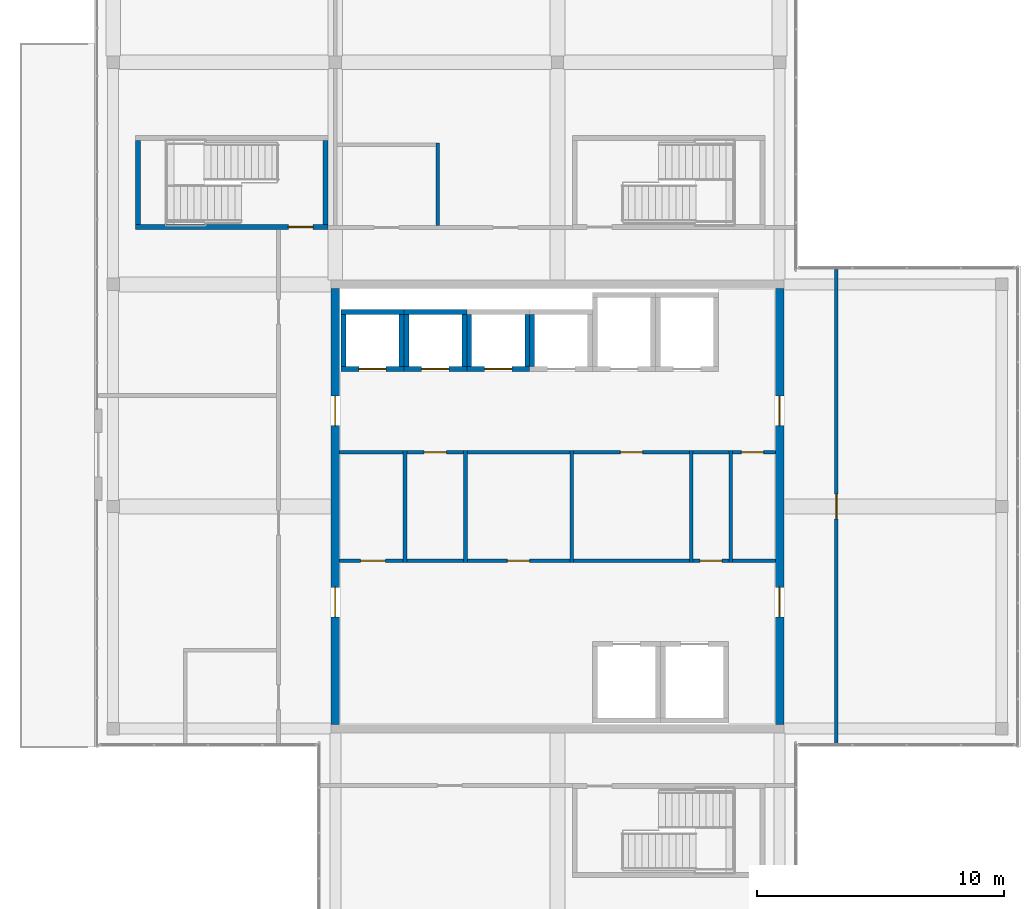
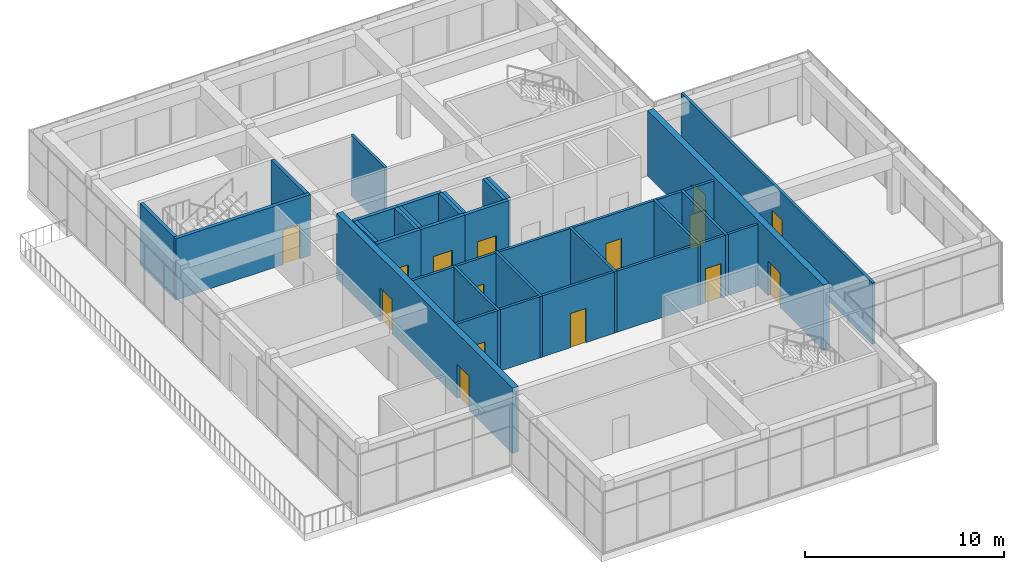
# One storey, part 31 of 34: 36 walls, 15 doors, 15 openings.
"""IFC4 building model written with IfcOpenShell, lengths in metres."""

from ifc_helpers import new_model, si_unit, direction, frame, frame_2d, origin, place, context, subcontext, project, spatial, rectangle, extrude, material, layer, layer_set, type_object, element, fill, save


model = new_model("IFC4")

# Units and contexts
model_context = context("Model", 3, precision=1e-05, world=origin(), true_north=direction((0.0, 1.0)))
body_context = subcontext(model_context, "Body", "Model", "MODEL_VIEW")
ifc_project = project(units=[si_unit("LENGTHUNIT", "METRE"), si_unit("AREAUNIT", "SQUARE_METRE"), si_unit("VOLUMEUNIT", "CUBIC_METRE"), si_unit("PLANEANGLEUNIT", "RADIAN"), si_unit("MASSUNIT", "GRAM", prefix="KILO")], contexts=[model_context])

# Site, building, storey
site_placement = place(None, origin())
site = spatial("IfcSite", under=ifc_project, at=site_placement, CompositionType="ELEMENT")
building_placement = place(site_placement, origin())
building = spatial("IfcBuilding", under=site, at=building_placement, Name="Tuart Plaza Theatre", CompositionType="ELEMENT")
storey_placement = place(building_placement, frame((0.0, 0.0, 53.5)))
storey = spatial("IfcBuildingStorey", under=building, at=storey_placement, Name="L13", CompositionType="ELEMENT", Elevation=53.5)

# Wall
ifc_material_1 = material(Name="Masonry block", Category="masonry")
ifc_layer_1 = layer(ifc_material_1, 0.14990234375)
ifc_layer_set_1 = layer_set([ifc_layer_1], Name="PARTITION BLK150 MASONRYB FRL -/120/120")
wall_type_1 = type_object("IfcWallType", Name="PARTITION BLK150 MASONRYB FRL -/120/120", PredefinedType="PARTITIONING", material=ifc_layer_set_1)
wall_1_placement = place(storey_placement, frame((125.824951171875, 71.72509765625, 0.0), z_axis=(0.0, 0.0, 1.0), x_axis=(0.0, 1.0, 0.0)))
element("IfcWall", 1, at=wall_1_placement, inside=storey, type_object=wall_type_1, Name="P692", PredefinedType="PARTITIONING", context=body_context, shape_type="SweptSolid", body=[
    extrude(rectangle(XDim=4.5498046875, YDim=0.14990234375, at=frame_2d((2.27490234375, 0.0))), origin(), (0.0, 0.0, 1.0), 3.75),
])

# Wall, opening, door
wall_2_placement = place(storey_placement, frame((123.175048828125, 71.800048828125, 0.0), z_axis=(0.0, 0.0, 1.0), x_axis=(1.0, 0.0, 0.0)))
wall_2 = element("IfcWall", 2, at=wall_2_placement, inside=storey, type_object=wall_type_1, Name="P693", PredefinedType="PARTITIONING", context=body_context, shape_type="SweptSolid", body=[
    extrude(rectangle(XDim=2.574951171875, YDim=0.14990234375, at=frame_2d((1.28759765625, 0.0))), origin(), (0.0, 0.0, 1.0), 3.75),
])
opening_1_placement = place(wall_2_placement, frame((0.85009765625, 0.0, 0.0)))
opening_1 = element("IfcOpeningElement", 3, at=opening_1_placement, cuts=wall_2, Name="Opening L13-017", PredefinedType="OPENING", context=body_context, shape_type="SweptSolid", body=[
    extrude(rectangle(XDim=1.0, YDim=2.10009765625, at=frame_2d((0.5, 1.050048828125))), frame((0.0, 0.0849609375, 0.0), z_axis=(0.0, -1.0, 0.0), x_axis=(1.0, 0.0, 0.0)), (0.0, 0.0, 1.0), 0.169921875),
])
ifc_material_2 = material(Name="Steel Grade 300", Category="steel")
door_type_1 = type_object("IfcDoorType", Name="DOOR 1000x2100 steel single swing FRL -/120/30", OperationType="SINGLE_SWING_LEFT", PredefinedType="DOOR", material=ifc_material_2)
door_1_placement = place(opening_1_placement, origin())
door_1 = element("IfcDoor", 4, at=door_1_placement, inside=storey, type_object=door_type_1, Name="L13-017", OperationType="SINGLE_SWING_LEFT", OverallHeight=2.10009765625, OverallWidth=1.0, PredefinedType="DOOR", context=body_context, shape_type="SweptSolid", body=[
    extrude(rectangle(XDim=1.0, YDim=2.10009765625, at=frame_2d((0.5, 1.050048828125))), frame((0.0, 0.02490234375, 0.0), z_axis=(0.0, -1.0, 0.0), x_axis=(1.0, 0.0, 0.0)), (0.0, 0.0, 1.0), 0.050048828125),
])
fill(opening_1, door_1)

# Walls
wall_3_placement = place(storey_placement, frame((123.175048828125, 76.199951171875, 0.0), z_axis=(0.0, 0.0, 1.0), x_axis=(1.0, 0.0, 0.0)))
element("IfcWall", 5, at=wall_3_placement, inside=storey, type_object=wall_type_1, Name="P694", PredefinedType="PARTITIONING", context=body_context, shape_type="SweptSolid", body=[
    extrude(rectangle(XDim=2.574951171875, YDim=0.14990234375, at=frame_2d((1.28759765625, 0.0))), origin(), (0.0, 0.0, 1.0), 3.75),
])
wall_4_placement = place(storey_placement, frame((128.27490234375, 71.72509765625, 0.0), z_axis=(0.0, 0.0, 1.0), x_axis=(0.0, 1.0, 0.0)))
element("IfcWall", 6, at=wall_4_placement, inside=storey, type_object=wall_type_1, Name="P695", PredefinedType="PARTITIONING", context=body_context, shape_type="SweptSolid", body=[
    extrude(rectangle(XDim=4.5498046875, YDim=0.14990234375, at=frame_2d((2.27490234375, 0.0))), origin(), (0.0, 0.0, 1.0), 3.75),
])
wall_5_placement = place(storey_placement, frame((125.89990234375, 71.800048828125, 0.0), z_axis=(0.0, 0.0, 1.0), x_axis=(1.0, 0.0, 0.0)))
element("IfcWall", 7, at=wall_5_placement, inside=storey, type_object=wall_type_1, Name="P696", PredefinedType="PARTITIONING", context=body_context, shape_type="SweptSolid", body=[
    extrude(rectangle(XDim=2.300048828125, YDim=0.14990234375, at=frame_2d((1.14990234375, 0.0))), origin(), (0.0, 0.0, 1.0), 3.75),
])

# Wall, opening, door
wall_6_placement = place(storey_placement, frame((125.89990234375, 76.199951171875, 0.0), z_axis=(0.0, 0.0, 1.0), x_axis=(1.0, 0.0, 0.0)))
wall_6 = element("IfcWall", 8, at=wall_6_placement, inside=storey, type_object=wall_type_1, Name="P697", PredefinedType="PARTITIONING", context=body_context, shape_type="SweptSolid", body=[
    extrude(rectangle(XDim=2.300048828125, YDim=0.14990234375, at=frame_2d((1.14990234375, 0.0))), origin(), (0.0, 0.0, 1.0), 3.75),
])
opening_2_placement = place(wall_6_placement, frame((0.699951171875, 0.0, 0.0)))
opening_2 = element("IfcOpeningElement", 9, at=opening_2_placement, cuts=wall_6, Name="Opening L13-018", PredefinedType="OPENING", context=body_context, shape_type="SweptSolid", body=[
    extrude(rectangle(XDim=0.89990234375, YDim=2.10009765625, at=frame_2d((0.449951171875, 1.050048828125))), frame((0.0, 0.0849609375, 0.0), z_axis=(0.0, -1.0, 0.0), x_axis=(1.0, 0.0, 0.0)), (0.0, 0.0, 1.0), 0.169921875),
])
ifc_material_3 = material(Name="Steel Grade 300", Category="steel")
door_type_2 = type_object("IfcDoorType", Name="DOOR 900x2100 steel single swing FRL -/120/30", OperationType="SINGLE_SWING_LEFT", PredefinedType="DOOR", material=ifc_material_3)
door_2_placement = place(opening_2_placement, frame((0.89990234375, 0.0, 0.0), z_axis=(0.0, 0.0, 1.0), x_axis=(-1.0, 0.0, 0.0)))
door_2 = element("IfcDoor", 10, at=door_2_placement, inside=storey, type_object=door_type_2, Name="L13-018", OperationType="SINGLE_SWING_LEFT", OverallHeight=2.10009765625, OverallWidth=0.89990234375, PredefinedType="DOOR", context=body_context, shape_type="SweptSolid", body=[
    extrude(rectangle(XDim=0.89990234375, YDim=2.10009765625, at=frame_2d((0.449951171875, 1.050048828125))), frame((0.0, 0.02490234375, 0.0), z_axis=(0.0, -1.0, 0.0), x_axis=(1.0, 0.0, 0.0)), (0.0, 0.0, 1.0), 0.050048828125),
])
fill(opening_2, door_2)

# Wall
wall_7_placement = place(storey_placement, frame((132.574951171875, 71.72509765625, 0.0), z_axis=(0.0, 0.0, 1.0), x_axis=(0.0, 1.0, 0.0)))
element("IfcWall", 11, at=wall_7_placement, inside=storey, type_object=wall_type_1, Name="P698", PredefinedType="PARTITIONING", context=body_context, shape_type="SweptSolid", body=[
    extrude(rectangle(XDim=4.5498046875, YDim=0.14990234375, at=frame_2d((2.27490234375, 0.0))), origin(), (0.0, 0.0, 1.0), 3.75),
])

# Wall, opening, door
wall_8_placement = place(storey_placement, frame((128.35009765625, 71.800048828125, 0.0), z_axis=(0.0, 0.0, 1.0), x_axis=(1.0, 0.0, 0.0)))
wall_8 = element("IfcWall", 12, at=wall_8_placement, inside=storey, type_object=wall_type_1, Name="P699", PredefinedType="PARTITIONING", context=body_context, shape_type="SweptSolid", body=[
    extrude(rectangle(XDim=4.14990234375, YDim=0.14990234375, at=frame_2d((2.074951171875, 0.0))), origin(), (0.0, 0.0, 1.0), 3.75),
])
opening_3_placement = place(wall_8_placement, frame((1.625, 0.0, 0.0)))
opening_3 = element("IfcOpeningElement", 13, at=opening_3_placement, cuts=wall_8, Name="Opening L13-019", PredefinedType="OPENING", context=body_context, shape_type="SweptSolid", body=[
    extrude(rectangle(XDim=0.89990234375, YDim=2.10009765625, at=frame_2d((0.449951171875, 1.050048828125))), frame((0.0, 0.0849609375, 0.0), z_axis=(0.0, -1.0, 0.0), x_axis=(1.0, 0.0, 0.0)), (0.0, 0.0, 1.0), 0.169921875),
])
door_3_placement = place(opening_3_placement, origin())
door_3 = element("IfcDoor", 14, at=door_3_placement, inside=storey, type_object=door_type_2, Name="L13-019", OperationType="SINGLE_SWING_RIGHT", OverallHeight=2.10009765625, OverallWidth=0.89990234375, PredefinedType="DOOR", context=body_context, shape_type="SweptSolid", body=[
    extrude(rectangle(XDim=0.89990234375, YDim=2.10009765625, at=frame_2d((0.449951171875, 1.050048828125))), frame((0.0, 0.02490234375, 0.0), z_axis=(0.0, -1.0, 0.0), x_axis=(1.0, 0.0, 0.0)), (0.0, 0.0, 1.0), 0.050048828125),
])
fill(opening_3, door_3)

# Walls
wall_9_placement = place(storey_placement, frame((128.35009765625, 76.199951171875, 0.0), z_axis=(0.0, 0.0, 1.0), x_axis=(1.0, 0.0, 0.0)))
element("IfcWall", 15, at=wall_9_placement, inside=storey, type_object=wall_type_1, Name="P700", PredefinedType="PARTITIONING", context=body_context, shape_type="SweptSolid", body=[
    extrude(rectangle(XDim=4.14990234375, YDim=0.14990234375, at=frame_2d((2.074951171875, 0.0))), origin(), (0.0, 0.0, 1.0), 3.75),
])
wall_10_placement = place(storey_placement, frame((137.425048828125, 71.72509765625, 0.0), z_axis=(0.0, 0.0, 1.0), x_axis=(0.0, 1.0, 0.0)))
element("IfcWall", 16, at=wall_10_placement, inside=storey, type_object=wall_type_1, Name="P701", PredefinedType="PARTITIONING", context=body_context, shape_type="SweptSolid", body=[
    extrude(rectangle(XDim=4.5498046875, YDim=0.14990234375, at=frame_2d((2.27490234375, 0.0))), origin(), (0.0, 0.0, 1.0), 3.75),
])
wall_11_placement = place(storey_placement, frame((132.64990234375, 71.800048828125, 0.0), z_axis=(0.0, 0.0, 1.0), x_axis=(1.0, 0.0, 0.0)))
element("IfcWall", 17, at=wall_11_placement, inside=storey, type_object=wall_type_1, Name="P702", PredefinedType="PARTITIONING", context=body_context, shape_type="SweptSolid", body=[
    extrude(rectangle(XDim=4.7001953125, YDim=0.14990234375, at=frame_2d((2.35009765625, 0.0))), origin(), (0.0, 0.0, 1.0), 3.75),
])

# Wall, opening, door
wall_12_placement = place(storey_placement, frame((132.64990234375, 76.199951171875, 0.0), z_axis=(0.0, 0.0, 1.0), x_axis=(1.0, 0.0, 0.0)))
wall_12 = element("IfcWall", 18, at=wall_12_placement, inside=storey, type_object=wall_type_1, Name="P703", PredefinedType="PARTITIONING", context=body_context, shape_type="SweptSolid", body=[
    extrude(rectangle(XDim=4.7001953125, YDim=0.14990234375, at=frame_2d((2.35009765625, 0.0))), origin(), (0.0, 0.0, 1.0), 3.75),
])
opening_4_placement = place(wall_12_placement, frame((1.89990234375, 0.0, 0.0)))
opening_4 = element("IfcOpeningElement", 19, at=opening_4_placement, cuts=wall_12, Name="Opening L13-020", PredefinedType="OPENING", context=body_context, shape_type="SweptSolid", body=[
    extrude(rectangle(XDim=0.89990234375, YDim=2.10009765625, at=frame_2d((0.449951171875, 1.050048828125))), frame((0.0, 0.0849609375, 0.0), z_axis=(0.0, -1.0, 0.0), x_axis=(1.0, 0.0, 0.0)), (0.0, 0.0, 1.0), 0.169921875),
])
door_4_placement = place(opening_4_placement, frame((0.89990234375, 0.0, 0.0), z_axis=(0.0, 0.0, 1.0), x_axis=(-1.0, 0.0, 0.0)))
door_4 = element("IfcDoor", 20, at=door_4_placement, inside=storey, type_object=door_type_2, Name="L13-020", OperationType="SINGLE_SWING_RIGHT", OverallHeight=2.10009765625, OverallWidth=0.89990234375, PredefinedType="DOOR", context=body_context, shape_type="SweptSolid", body=[
    extrude(rectangle(XDim=0.89990234375, YDim=2.10009765625, at=frame_2d((0.449951171875, 1.050048828125))), frame((0.0, 0.02490234375, 0.0), z_axis=(0.0, -1.0, 0.0), x_axis=(1.0, 0.0, 0.0)), (0.0, 0.0, 1.0), 0.050048828125),
])
fill(opening_4, door_4)

# Wall
wall_13_placement = place(storey_placement, frame((139.02490234375, 71.72509765625, 0.0), z_axis=(0.0, 0.0, 1.0), x_axis=(0.0, 1.0, 0.0)))
element("IfcWall", 21, at=wall_13_placement, inside=storey, type_object=wall_type_1, Name="P704", PredefinedType="PARTITIONING", context=body_context, shape_type="SweptSolid", body=[
    extrude(rectangle(XDim=4.5498046875, YDim=0.14990234375, at=frame_2d((2.27490234375, 0.0))), origin(), (0.0, 0.0, 1.0), 3.75),
])

# Wall, opening, door
wall_14_placement = place(storey_placement, frame((137.5, 71.800048828125, 0.0), z_axis=(0.0, 0.0, 1.0), x_axis=(1.0, 0.0, 0.0)))
wall_14 = element("IfcWall", 22, at=wall_14_placement, inside=storey, type_object=wall_type_1, Name="P705", PredefinedType="PARTITIONING", context=body_context, shape_type="SweptSolid", body=[
    extrude(rectangle(XDim=1.449951171875, YDim=0.14990234375, at=frame_2d((0.72509765625, 0.0))), origin(), (0.0, 0.0, 1.0), 3.75),
])
opening_5_placement = place(wall_14_placement, frame((0.27490234375, 0.0, 0.0)))
opening_5 = element("IfcOpeningElement", 23, at=opening_5_placement, cuts=wall_14, Name="Opening L13-021", PredefinedType="OPENING", context=body_context, shape_type="SweptSolid", body=[
    extrude(rectangle(XDim=0.89990234375, YDim=2.10009765625, at=frame_2d((0.449951171875, 1.050048828125))), frame((0.0, 0.0849609375, 0.0), z_axis=(0.0, -1.0, 0.0), x_axis=(1.0, 0.0, 0.0)), (0.0, 0.0, 1.0), 0.169921875),
])
door_5_placement = place(opening_5_placement, origin())
door_5 = element("IfcDoor", 24, at=door_5_placement, inside=storey, type_object=door_type_2, Name="L13-021", OperationType="SINGLE_SWING_LEFT", OverallHeight=2.10009765625, OverallWidth=0.89990234375, PredefinedType="DOOR", context=body_context, shape_type="SweptSolid", body=[
    extrude(rectangle(XDim=0.89990234375, YDim=2.10009765625, at=frame_2d((0.449951171875, 1.050048828125))), frame((0.0, 0.02490234375, 0.0), z_axis=(0.0, -1.0, 0.0), x_axis=(1.0, 0.0, 0.0)), (0.0, 0.0, 1.0), 0.050048828125),
])
fill(opening_5, door_5)

# Walls
wall_15_placement = place(storey_placement, frame((137.5, 76.199951171875, 0.0), z_axis=(0.0, 0.0, 1.0), x_axis=(1.0, 0.0, 0.0)))
element("IfcWall", 25, at=wall_15_placement, inside=storey, type_object=wall_type_1, Name="P706", PredefinedType="PARTITIONING", context=body_context, shape_type="SweptSolid", body=[
    extrude(rectangle(XDim=1.449951171875, YDim=0.14990234375, at=frame_2d((0.72509765625, 0.0))), origin(), (0.0, 0.0, 1.0), 3.75),
])
wall_16_placement = place(storey_placement, frame((139.10009765625, 71.800048828125, 0.0), z_axis=(0.0, 0.0, 1.0), x_axis=(1.0, 0.0, 0.0)))
element("IfcWall", 26, at=wall_16_placement, inside=storey, type_object=wall_type_1, Name="P707", PredefinedType="PARTITIONING", context=body_context, shape_type="SweptSolid", body=[
    extrude(rectangle(XDim=1.724853515625, YDim=0.14990234375, at=frame_2d((0.8623046875, 0.0))), origin(), (0.0, 0.0, 1.0), 3.75),
])

# Wall, opening, door
wall_17_placement = place(storey_placement, frame((139.10009765625, 76.199951171875, 0.0), z_axis=(0.0, 0.0, 1.0), x_axis=(1.0, 0.0, 0.0)))
wall_17 = element("IfcWall", 27, at=wall_17_placement, inside=storey, type_object=wall_type_1, Name="P708", PredefinedType="PARTITIONING", context=body_context, shape_type="SweptSolid", body=[
    extrude(rectangle(XDim=1.724853515625, YDim=0.14990234375, at=frame_2d((0.8623046875, 0.0))), origin(), (0.0, 0.0, 1.0), 3.75),
])
opening_6_placement = place(wall_17_placement, frame((0.35009765625, 0.0, 0.0)))
opening_6 = element("IfcOpeningElement", 28, at=opening_6_placement, cuts=wall_17, Name="Opening L13-022", PredefinedType="OPENING", context=body_context, shape_type="SweptSolid", body=[
    extrude(rectangle(XDim=0.89990234375, YDim=2.10009765625, at=frame_2d((0.449951171875, 1.050048828125))), frame((0.0, 0.0849609375, 0.0), z_axis=(0.0, -1.0, 0.0), x_axis=(1.0, 0.0, 0.0)), (0.0, 0.0, 1.0), 0.169921875),
])
door_6_placement = place(opening_6_placement, frame((0.89990234375, 0.0, 0.0), z_axis=(0.0, 0.0, 1.0), x_axis=(-1.0, 0.0, 0.0)))
door_6 = element("IfcDoor", 29, at=door_6_placement, inside=storey, type_object=door_type_2, Name="L13-022", OperationType="SINGLE_SWING_LEFT", OverallHeight=2.10009765625, OverallWidth=0.89990234375, PredefinedType="DOOR", context=body_context, shape_type="SweptSolid", body=[
    extrude(rectangle(XDim=0.89990234375, YDim=2.10009765625, at=frame_2d((0.449951171875, 1.050048828125))), frame((0.0, 0.02490234375, 0.0), z_axis=(0.0, -1.0, 0.0), x_axis=(1.0, 0.0, 0.0)), (0.0, 0.0, 1.0), 0.050048828125),
])
fill(opening_6, door_6)

ifc_material_4 = material(Name="Masonry block", Category="masonry")
ifc_layer_2 = layer(ifc_material_4, 0.14990234375)
ifc_layer_set_2 = layer_set([ifc_layer_2], Name="PARTITION BLK150 MASONRYB FRL 120/-/-")
wall_type_2 = type_object("IfcWallType", Name="PARTITION BLK150 MASONRYB FRL 120/-/-", PredefinedType="PARTITIONING", material=ifc_layer_set_2)
wall_18_placement = place(storey_placement, frame((143.300048828125, 83.60009765625, 0.0), z_axis=(0.0, 0.0, 1.0), x_axis=(0.0, -1.0, 0.0)))
wall_18 = element("IfcWall", 30, at=wall_18_placement, inside=storey, type_object=wall_type_2, Name="P712", PredefinedType="PARTITIONING", context=body_context, shape_type="SweptSolid", body=[
    extrude(rectangle(XDim=19.2001953125, YDim=0.14990234375, at=frame_2d((9.60009765625, 0.0))), origin(), (0.0, 0.0, 1.0), 3.75),
])
opening_7_placement = place(wall_18_placement, frame((9.10009765625, 0.0, 0.0)))
opening_7 = element("IfcOpeningElement", 31, at=opening_7_placement, cuts=wall_18, Name="Opening L13-027", PredefinedType="OPENING", context=body_context, shape_type="SweptSolid", body=[
    extrude(rectangle(XDim=1.0, YDim=2.10009765625, at=frame_2d((0.5, 1.050048828125))), frame((0.0, 0.0849609375, 0.0), z_axis=(0.0, -1.0, 0.0), x_axis=(1.0, 0.0, 0.0)), (0.0, 0.0, 1.0), 0.169921875),
])
ifc_material_5 = material(Name="Timber", Category="wood")
door_type_3 = type_object("IfcDoorType", Name="DOOR 1000x2100 timber single swing FRL -/60/30", OperationType="SINGLE_SWING_LEFT", PredefinedType="DOOR", material=ifc_material_5)
door_7_placement = place(opening_7_placement, origin())
door_7 = element("IfcDoor", 32, at=door_7_placement, inside=storey, type_object=door_type_3, Name="L13-027", OperationType="SINGLE_SWING_LEFT", OverallHeight=2.10009765625, OverallWidth=1.0, PredefinedType="DOOR", context=body_context, shape_type="SweptSolid", body=[
    extrude(rectangle(XDim=1.0, YDim=2.10009765625, at=frame_2d((0.5, 1.050048828125))), frame((0.0, 0.02490234375, 0.0), z_axis=(0.0, -1.0, 0.0), x_axis=(1.0, 0.0, 0.0)), (0.0, 0.0, 1.0), 0.050048828125),
])
fill(opening_7, door_7)

# Wall
wall_19_placement = place(storey_placement, frame((127.14990234375, 85.375, 0.0), z_axis=(0.0, 0.0, 1.0), x_axis=(0.0, 1.0, 0.0)))
element("IfcWall", 33, at=wall_19_placement, inside=storey, type_object=wall_type_2, Name="P720", PredefinedType="PARTITIONING", context=body_context, shape_type="SweptSolid", body=[
    extrude(rectangle(XDim=3.35009765625, YDim=0.14990234375, at=frame_2d((1.675048828125, 0.0))), origin(), (0.0, 0.0, 1.0), 3.75),
])

# Wall, opening, door
ifc_material_6 = material(Name="Concrete N40 (40 MPa)", Category="concrete")
ifc_layer_3 = layer(ifc_material_6, 0.199951171875)
ifc_layer_set_3 = layer_set([ifc_layer_3], Name="SHEAR WALL RC200 FRL 120/120/120")
wall_type_3 = type_object("IfcWallType", Name="SHEAR WALL RC200 FRL 120/120/120", PredefinedType="SHEAR", material=ifc_layer_set_3)
wall_20_placement = place(storey_placement, frame((123.22509765625, 79.574951171875, 0.0), z_axis=(0.0, 0.0, 1.0), x_axis=(1.0, 0.0, 0.0)))
wall_20 = element("IfcWall", 34, at=wall_20_placement, inside=storey, type_object=wall_type_3, Name="W778", PredefinedType="SHEAR", context=body_context, shape_type="SweptSolid", body=[
    extrude(rectangle(XDim=2.5498046875, YDim=0.199951171875, at=frame_2d((1.27490234375, 0.0))), origin(), (0.0, 0.0, 1.0), 4.0),
])
opening_8_placement = place(wall_20_placement, frame((0.72509765625, 0.0, 0.0)))
opening_8 = element("IfcOpeningElement", 35, at=opening_8_placement, cuts=wall_20, Name="Opening L13-002", PredefinedType="OPENING", context=body_context, shape_type="SweptSolid", body=[
    extrude(rectangle(XDim=1.10009765625, YDim=2.10009765625, at=frame_2d((0.550048828125, 1.050048828125))), frame((0.0, 0.10986328125, 0.0), z_axis=(0.0, -1.0, 0.0), x_axis=(1.0, 0.0, 0.0)), (0.0, 0.0, 1.0), 0.219970703125),
])
ifc_material_7 = material(Name="Steel Grade 300", Category="steel")
door_type_4 = type_object("IfcDoorType", Name="LANDING DOOR 1100x2100 steel sliding FRL -/120/30", OperationType="SLIDING_TO_LEFT", PredefinedType="DOOR", material=ifc_material_7)
door_8_placement = place(opening_8_placement, origin())
door_8 = element("IfcDoor", 36, at=door_8_placement, inside=storey, type_object=door_type_4, Name="L13-002", OperationType="SLIDING_TO_LEFT", OverallHeight=2.10009765625, OverallWidth=1.10009765625, PredefinedType="DOOR", context=body_context, shape_type="SweptSolid", body=[
    extrude(rectangle(XDim=1.10009765625, YDim=2.10009765625, at=frame_2d((0.550048828125, 1.050048828125))), frame((0.0, 0.02490234375, 0.0), z_axis=(0.0, -1.0, 0.0), x_axis=(1.0, 0.0, 0.0)), (0.0, 0.0, 1.0), 0.050048828125),
])
fill(opening_8, door_8)

# Walls
wall_21_placement = place(storey_placement, frame((125.675048828125, 79.675048828125, 0.0), z_axis=(0.0, 0.0, 1.0), x_axis=(0.0, 1.0, 0.0)))
element("IfcWall", 37, at=wall_21_placement, inside=storey, type_object=wall_type_3, Name="W779", PredefinedType="SHEAR", context=body_context, shape_type="SweptSolid", body=[
    extrude(rectangle(XDim=2.099853515625, YDim=0.199951171875, at=frame_2d((1.0498046875, 0.0))), origin(), (0.0, 0.0, 1.0), 4.0),
])
wall_22_placement = place(storey_placement, frame((125.77490234375, 81.875, 0.0), z_axis=(0.0, 0.0, 1.0), x_axis=(-1.0, 0.0, 0.0)))
element("IfcWall", 38, at=wall_22_placement, inside=storey, type_object=wall_type_3, Name="W780", PredefinedType="SHEAR", context=body_context, shape_type="SweptSolid", body=[
    extrude(rectangle(XDim=2.5498046875, YDim=0.199951171875, at=frame_2d((1.27490234375, 0.0))), origin(), (0.0, 0.0, 1.0), 4.0),
])
wall_23_placement = place(storey_placement, frame((123.324951171875, 81.77490234375, 0.0), z_axis=(0.0, 0.0, 1.0), x_axis=(0.0, -1.0, 0.0)))
element("IfcWall", 39, at=wall_23_placement, inside=storey, type_object=wall_type_3, Name="W781", PredefinedType="SHEAR", context=body_context, shape_type="SweptSolid", body=[
    extrude(rectangle(XDim=2.099853515625, YDim=0.199951171875, at=frame_2d((1.0498046875, 0.0))), origin(), (0.0, 0.0, 1.0), 4.0),
])

# Wall, opening, door
wall_24_placement = place(storey_placement, frame((125.77490234375, 79.574951171875, 0.0), z_axis=(0.0, 0.0, 1.0), x_axis=(1.0, 0.0, 0.0)))
wall_24 = element("IfcWall", 40, at=wall_24_placement, inside=storey, type_object=wall_type_3, Name="W850", PredefinedType="SHEAR", context=body_context, shape_type="SweptSolid", body=[
    extrude(rectangle(XDim=2.550048828125, YDim=0.199951171875, at=frame_2d((1.27490234375, 0.0))), origin(), (0.0, 0.0, 1.0), 4.0),
])
opening_9_placement = place(wall_24_placement, frame((0.72509765625, 0.0, 0.0)))
opening_9 = element("IfcOpeningElement", 41, at=opening_9_placement, cuts=wall_24, Name="Opening L13-003", PredefinedType="OPENING", context=body_context, shape_type="SweptSolid", body=[
    extrude(rectangle(XDim=1.10009765625, YDim=2.10009765625, at=frame_2d((0.550048828125, 1.050048828125))), frame((0.0, 0.10986328125, 0.0), z_axis=(0.0, -1.0, 0.0), x_axis=(1.0, 0.0, 0.0)), (0.0, 0.0, 1.0), 0.219970703125),
])
door_9_placement = place(opening_9_placement, origin())
door_9 = element("IfcDoor", 42, at=door_9_placement, inside=storey, type_object=door_type_4, Name="L13-003", OperationType="SLIDING_TO_LEFT", OverallHeight=2.10009765625, OverallWidth=1.10009765625, PredefinedType="DOOR", context=body_context, shape_type="SweptSolid", body=[
    extrude(rectangle(XDim=1.10009765625, YDim=2.10009765625, at=frame_2d((0.550048828125, 1.050048828125))), frame((0.0, 0.02490234375, 0.0), z_axis=(0.0, -1.0, 0.0), x_axis=(1.0, 0.0, 0.0)), (0.0, 0.0, 1.0), 0.050048828125),
])
fill(opening_9, door_9)

# Walls
wall_25_placement = place(storey_placement, frame((128.22509765625, 79.675048828125, 0.0), z_axis=(0.0, 0.0, 1.0), x_axis=(0.0, 1.0, 0.0)))
element("IfcWall", 43, at=wall_25_placement, inside=storey, type_object=wall_type_3, Name="W851", PredefinedType="SHEAR", context=body_context, shape_type="SweptSolid", body=[
    extrude(rectangle(XDim=2.099853515625, YDim=0.199951171875, at=frame_2d((1.0498046875, 0.0))), origin(), (0.0, 0.0, 1.0), 4.0),
])
wall_26_placement = place(storey_placement, frame((128.324951171875, 81.875, 0.0), z_axis=(0.0, 0.0, 1.0), x_axis=(-1.0, 0.0, 0.0)))
element("IfcWall", 44, at=wall_26_placement, inside=storey, type_object=wall_type_3, Name="W852", PredefinedType="SHEAR", context=body_context, shape_type="SweptSolid", body=[
    extrude(rectangle(XDim=2.550048828125, YDim=0.199951171875, at=frame_2d((1.27490234375, 0.0))), origin(), (0.0, 0.0, 1.0), 4.0),
])
wall_27_placement = place(storey_placement, frame((125.875, 81.77490234375, 0.0), z_axis=(0.0, 0.0, 1.0), x_axis=(0.0, -1.0, 0.0)))
element("IfcWall", 45, at=wall_27_placement, inside=storey, type_object=wall_type_3, Name="W853", PredefinedType="SHEAR", context=body_context, shape_type="SweptSolid", body=[
    extrude(rectangle(XDim=2.099853515625, YDim=0.199951171875, at=frame_2d((1.0498046875, 0.0))), origin(), (0.0, 0.0, 1.0), 4.0),
])

# Wall, opening, door
wall_28_placement = place(storey_placement, frame((128.324951171875, 79.574951171875, 0.0), z_axis=(0.0, 0.0, 1.0), x_axis=(1.0, 0.0, 0.0)))
wall_28 = element("IfcWall", 46, at=wall_28_placement, inside=storey, type_object=wall_type_3, Name="W922", PredefinedType="SHEAR", context=body_context, shape_type="SweptSolid", body=[
    extrude(rectangle(XDim=2.550048828125, YDim=0.199951171875, at=frame_2d((1.27490234375, 0.0))), origin(), (0.0, 0.0, 1.0), 4.0),
])
opening_10_placement = place(wall_28_placement, frame((0.72509765625, 0.0, 0.0)))
opening_10 = element("IfcOpeningElement", 47, at=opening_10_placement, cuts=wall_28, Name="Opening L13-004", PredefinedType="OPENING", context=body_context, shape_type="SweptSolid", body=[
    extrude(rectangle(XDim=1.10009765625, YDim=2.10009765625, at=frame_2d((0.550048828125, 1.050048828125))), frame((0.0, 0.10986328125, 0.0), z_axis=(0.0, -1.0, 0.0), x_axis=(1.0, 0.0, 0.0)), (0.0, 0.0, 1.0), 0.219970703125),
])
door_10_placement = place(opening_10_placement, origin())
door_10 = element("IfcDoor", 48, at=door_10_placement, inside=storey, type_object=door_type_4, Name="L13-004", OperationType="SLIDING_TO_LEFT", OverallHeight=2.10009765625, OverallWidth=1.10009765625, PredefinedType="DOOR", context=body_context, shape_type="SweptSolid", body=[
    extrude(rectangle(XDim=1.10009765625, YDim=2.10009765625, at=frame_2d((0.550048828125, 1.050048828125))), frame((0.0, 0.02490234375, 0.0), z_axis=(0.0, -1.0, 0.0), x_axis=(1.0, 0.0, 0.0)), (0.0, 0.0, 1.0), 0.050048828125),
])
fill(opening_10, door_10)

# Walls
for number, where, z_axis, x_axis, name in (
    (49, (130.77490234375, 79.675048828125, 0.0), (0.0, 0.0, 1.0), (0.0, 1.0, 0.0), "W923"),
    (50, (128.425048828125, 81.77490234375, 0.0), (0.0, 0.0, 1.0), (0.0, -1.0, 0.0), "W925"),
    (51, (130.97509765625, 81.77490234375, 0.0), (0.0, 0.0, 1.0), (0.0, -1.0, 0.0), "W997"),
):
    element("IfcWall", number, at=place(storey_placement, frame(where, z_axis=z_axis, x_axis=x_axis)), inside=storey, type_object=wall_type_3, Name=name, PredefinedType="SHEAR", context=body_context, shape_type="SweptSolid", body=[
        extrude(rectangle(XDim=2.099853515625, YDim=0.199951171875, at=frame_2d((1.0498046875, 0.0))), origin(), (0.0, 0.0, 1.0), 4.0),
    ])

# Wall, opening, door
wall_29_placement = place(storey_placement, frame((114.89990234375, 85.324951171875, 0.0), z_axis=(0.0, 0.0, 1.0), x_axis=(1.0, 0.0, 0.0)))
wall_29 = element("IfcWall", 52, at=wall_29_placement, inside=storey, type_object=wall_type_3, Name="P468", PredefinedType="SHEAR", context=body_context, shape_type="SweptSolid", body=[
    extrude(rectangle(XDim=7.800048828125, YDim=0.199951171875, at=frame_2d((3.89990234375, 0.0))), origin(), (0.0, 0.0, 1.0), 3.75),
])
opening_11_placement = place(wall_29_placement, frame((6.199951171875, 0.0, 0.0)))
opening_11 = element("IfcOpeningElement", 53, at=opening_11_placement, cuts=wall_29, Name="Opening L13-012", PredefinedType="OPENING", context=body_context, shape_type="SweptSolid", body=[
    extrude(rectangle(XDim=1.0, YDim=2.10009765625, at=frame_2d((0.5, 1.050048828125))), frame((0.0, 0.10986328125, 0.0), z_axis=(0.0, -1.0, 0.0), x_axis=(1.0, 0.0, 0.0)), (0.0, 0.0, 1.0), 0.219970703125),
])
door_11_placement = place(opening_11_placement, origin())
door_11 = element("IfcDoor", 54, at=door_11_placement, inside=storey, type_object=door_type_1, Name="L13-012", OperationType="SINGLE_SWING_LEFT", OverallHeight=2.10009765625, OverallWidth=1.0, PredefinedType="DOOR", context=body_context, shape_type="SweptSolid", body=[
    extrude(rectangle(XDim=1.0, YDim=2.10009765625, at=frame_2d((0.5, 1.050048828125))), frame((0.0, 0.02490234375, 0.0), z_axis=(0.0, -1.0, 0.0), x_axis=(1.0, 0.0, 0.0)), (0.0, 0.0, 1.0), 0.050048828125),
])
fill(opening_11, door_11)

# Walls
for number, where, z_axis, x_axis, name in (
    (55, (122.60009765625, 85.425048828125, 0.0), (0.0, 0.0, 1.0), (0.0, 1.0, 0.0), "P469"),
    (56, (115.0, 88.824951171875, 0.0), (0.0, 0.0, 1.0), (0.0, -1.0, 0.0), "P471"),
):
    element("IfcWall", number, at=place(storey_placement, frame(where, z_axis=z_axis, x_axis=x_axis)), inside=storey, type_object=wall_type_3, Name=name, PredefinedType="SHEAR", context=body_context, shape_type="SweptSolid", body=[
        extrude(rectangle(XDim=3.39990234375, YDim=0.199951171875, at=frame_2d((1.699951171875, 0.0))), origin(), (0.0, 0.0, 1.0), 3.75),
    ])

# Wall, openings, doors
ifc_material_8 = material(Name="Concrete N40 (40 MPa)", Category="concrete")
ifc_layer_4 = layer(ifc_material_8, 0.35009765625)
ifc_layer_set_4 = layer_set([ifc_layer_4], Name="SHEAR WALL RC350 FRL 120/120/120")
wall_type_4 = type_object("IfcWallType", Name="SHEAR WALL RC350 FRL 120/120/120", PredefinedType="SHEAR", material=ifc_layer_set_4)
wall_30_placement = place(storey_placement, frame((141.0, 65.175048828125, 0.0), z_axis=(0.0, 0.0, 1.0), x_axis=(0.0, 1.0, 0.0)))
wall_30 = element("IfcWall", 57, at=wall_30_placement, inside=storey, type_object=wall_type_4, Name="W428", PredefinedType="SHEAR", context=body_context, shape_type="SweptSolid", body=[
    extrude(rectangle(XDim=17.64990234375, YDim=0.35009765625, at=frame_2d((8.824951171875, 0.0))), origin(), (0.0, 0.0, 1.0), 4.0),
])
opening_12_placement = place(wall_30_placement, frame((4.35009765625, 0.0, 0.0)))
opening_12 = element("IfcOpeningElement", 58, at=opening_12_placement, cuts=wall_30, Name="Opening L13-014", PredefinedType="OPENING", context=body_context, shape_type="SweptSolid", body=[
    extrude(rectangle(XDim=1.199951171875, YDim=2.10009765625, at=frame_2d((0.60009765625, 1.050048828125))), frame((0.0, 0.18505859375, 0.0), z_axis=(0.0, -1.0, 0.0), x_axis=(1.0, 0.0, 0.0)), (0.0, 0.0, 1.0), 0.3701171875),
])
opening_13_placement = place(wall_30_placement, frame((12.10009765625, 0.0, 0.0)))
opening_13 = element("IfcOpeningElement", 59, at=opening_13_placement, cuts=wall_30, Name="Opening L13-016", PredefinedType="OPENING", context=body_context, shape_type="SweptSolid", body=[
    extrude(rectangle(XDim=1.199951171875, YDim=2.10009765625, at=frame_2d((0.60009765625, 1.050048828125))), frame((0.0, 0.18505859375, 0.0), z_axis=(0.0, -1.0, 0.0), x_axis=(1.0, 0.0, 0.0)), (0.0, 0.0, 1.0), 0.3701171875),
])
ifc_material_9 = material(Name="Steel Grade 300", Category="steel")
door_type_5 = type_object("IfcDoorType", Name="DOOR 1200x2100 steel single swing FRL -/120/30", OperationType="SINGLE_SWING_LEFT", PredefinedType="DOOR", material=ifc_material_9)
door_12_placement = place(opening_12_placement, frame((1.199951171875, 0.0, 0.0), z_axis=(0.0, 0.0, 1.0), x_axis=(-1.0, 0.0, 0.0)))
door_12 = element("IfcDoor", 60, at=door_12_placement, inside=storey, type_object=door_type_5, Name="L13-014", OperationType="SINGLE_SWING_LEFT", OverallHeight=2.10009765625, OverallWidth=1.199951171875, PredefinedType="DOOR", context=body_context, shape_type="SweptSolid", body=[
    extrude(rectangle(XDim=1.199951171875, YDim=2.10009765625, at=frame_2d((0.60009765625, 1.050048828125))), frame((0.0, 0.02490234375, 0.0), z_axis=(0.0, -1.0, 0.0), x_axis=(1.0, 0.0, 0.0)), (0.0, 0.0, 1.0), 0.050048828125),
])
fill(opening_12, door_12)
door_13_placement = place(opening_13_placement, frame((1.199951171875, 0.0, 0.0), z_axis=(0.0, 0.0, 1.0), x_axis=(-1.0, 0.0, 0.0)))
door_13 = element("IfcDoor", 61, at=door_13_placement, inside=storey, type_object=door_type_5, Name="L13-016", OperationType="SINGLE_SWING_RIGHT", OverallHeight=2.10009765625, OverallWidth=1.199951171875, PredefinedType="DOOR", context=body_context, shape_type="SweptSolid", body=[
    extrude(rectangle(XDim=1.199951171875, YDim=2.10009765625, at=frame_2d((0.60009765625, 1.050048828125))), frame((0.0, 0.02490234375, 0.0), z_axis=(0.0, -1.0, 0.0), x_axis=(1.0, 0.0, 0.0)), (0.0, 0.0, 1.0), 0.050048828125),
])
fill(opening_13, door_13)

wall_31_placement = place(storey_placement, frame((123.0, 82.824951171875, 0.0), z_axis=(0.0, 0.0, 1.0), x_axis=(0.0, -1.0, 0.0)))
wall_31 = element("IfcWall", 62, at=wall_31_placement, inside=storey, type_object=wall_type_4, Name="W430", PredefinedType="SHEAR", context=body_context, shape_type="SweptSolid", body=[
    extrude(rectangle(XDim=17.64990234375, YDim=0.35009765625, at=frame_2d((8.824951171875, 0.0))), origin(), (0.0, 0.0, 1.0), 4.0),
])
opening_14_placement = place(wall_31_placement, frame((12.10009765625, 0.0, 0.0)))
opening_14 = element("IfcOpeningElement", 63, at=opening_14_placement, cuts=wall_31, Name="Opening L13-013", PredefinedType="OPENING", context=body_context, shape_type="SweptSolid", body=[
    extrude(rectangle(XDim=1.199951171875, YDim=2.10009765625, at=frame_2d((0.60009765625, 1.050048828125))), frame((0.0, 0.18505859375, 0.0), z_axis=(0.0, -1.0, 0.0), x_axis=(1.0, 0.0, 0.0)), (0.0, 0.0, 1.0), 0.3701171875),
])
opening_15_placement = place(wall_31_placement, frame((4.35009765625, 0.0, 0.0)))
opening_15 = element("IfcOpeningElement", 64, at=opening_15_placement, cuts=wall_31, Name="Opening L13-015", PredefinedType="OPENING", context=body_context, shape_type="SweptSolid", body=[
    extrude(rectangle(XDim=1.199951171875, YDim=2.10009765625, at=frame_2d((0.60009765625, 1.050048828125))), frame((0.0, 0.18505859375, 0.0), z_axis=(0.0, -1.0, 0.0), x_axis=(1.0, 0.0, 0.0)), (0.0, 0.0, 1.0), 0.3701171875),
])
door_14_placement = place(opening_14_placement, frame((1.199951171875, 0.0, 0.0), z_axis=(0.0, 0.0, 1.0), x_axis=(-1.0, 0.0, 0.0)))
door_14 = element("IfcDoor", 65, at=door_14_placement, inside=storey, type_object=door_type_5, Name="L13-013", OperationType="SINGLE_SWING_RIGHT", OverallHeight=2.10009765625, OverallWidth=1.199951171875, PredefinedType="DOOR", context=body_context, shape_type="SweptSolid", body=[
    extrude(rectangle(XDim=1.199951171875, YDim=2.10009765625, at=frame_2d((0.60009765625, 1.050048828125))), frame((0.0, 0.02490234375, 0.0), z_axis=(0.0, -1.0, 0.0), x_axis=(1.0, 0.0, 0.0)), (0.0, 0.0, 1.0), 0.050048828125),
])
fill(opening_14, door_14)
door_15_placement = place(opening_15_placement, frame((1.199951171875, 0.0, 0.0), z_axis=(0.0, 0.0, 1.0), x_axis=(-1.0, 0.0, 0.0)))
door_15 = element("IfcDoor", 66, at=door_15_placement, inside=storey, type_object=door_type_5, Name="L13-015", OperationType="SINGLE_SWING_LEFT", OverallHeight=2.10009765625, OverallWidth=1.199951171875, PredefinedType="DOOR", context=body_context, shape_type="SweptSolid", body=[
    extrude(rectangle(XDim=1.199951171875, YDim=2.10009765625, at=frame_2d((0.60009765625, 1.050048828125))), frame((0.0, 0.02490234375, 0.0), z_axis=(0.0, -1.0, 0.0), x_axis=(1.0, 0.0, 0.0)), (0.0, 0.0, 1.0), 0.050048828125),
])
fill(opening_15, door_15)

save(model, "model.ifc")
